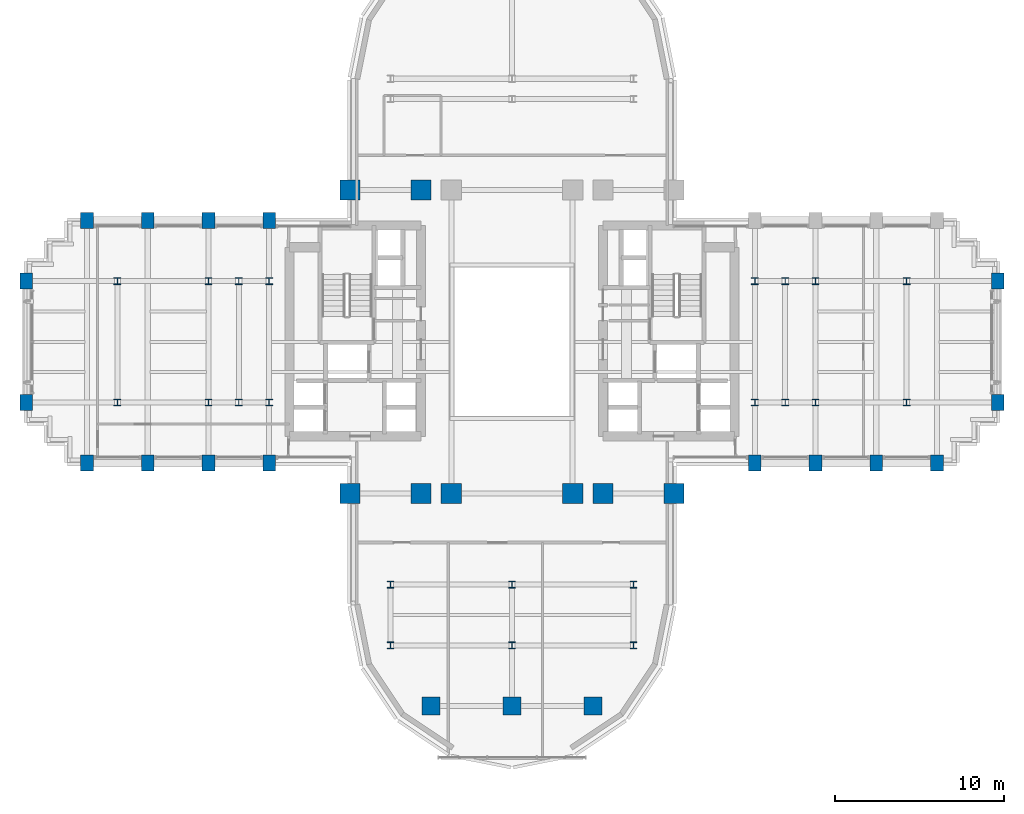
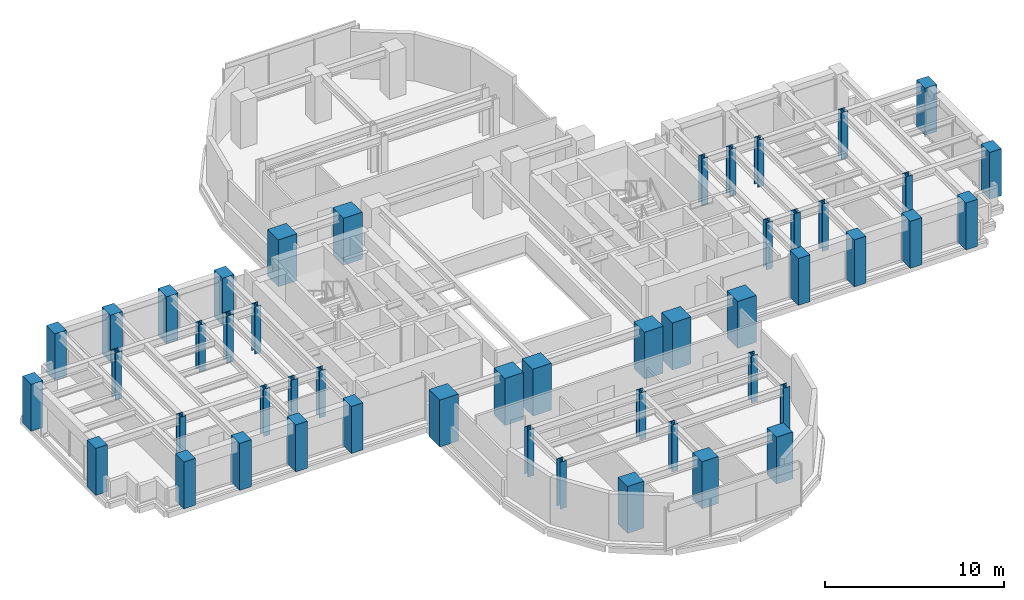
# One storey, part 1 of 16: 49 columns.
"""IFC4 building model written with IfcOpenShell, lengths in metres."""

from ifc_helpers import new_model, si_unit, direction, frame, origin, origin_2d, place, context, subcontext, project, spatial, rectangle, i_section, extrude, source, transform, mapped, material, material_profile, profile_set, type_object, element, save


model = new_model("IFC4")

# Units and contexts
model_context = context("Model", 3, precision=1e-05, world=origin(), true_north=direction((0.0, 1.0)))
body_context = subcontext(model_context, "Body", "Model", "MODEL_VIEW")
ifc_project = project(units=[si_unit("LENGTHUNIT", "METRE"), si_unit("AREAUNIT", "SQUARE_METRE"), si_unit("VOLUMEUNIT", "CUBIC_METRE"), si_unit("PLANEANGLEUNIT", "RADIAN"), si_unit("MASSUNIT", "GRAM", prefix="KILO")], contexts=[model_context])

# Site, building, storey
site_placement = place(None, origin())
site = spatial("IfcSite", under=ifc_project, at=site_placement, CompositionType="ELEMENT")
building_placement = place(site_placement, origin())
building = spatial("IfcBuilding", under=site, at=building_placement, Name="Keilestroom Media Tower", CompositionType="ELEMENT")
storey_placement = place(building_placement, frame((0.0, 0.0, 57.800048828125)))
storey = spatial("IfcBuildingStorey", under=building, at=storey_placement, Name="L14", CompositionType="ELEMENT", Elevation=57.800048828125)

# Columns
ifc_material_1 = material(Name="Precast concrete C40/50", Category="concrete")
ifc_material_profile_1 = material_profile(ifc_material_1, rectangle(XDim=0.75, YDim=0.949951171875, at=origin_2d()), Name="PC 950x750")
ifc_profile_set_1 = profile_set([ifc_material_profile_1], Name="Precast concrete C40/50")
column_type_1 = type_object("IfcColumnType", Name="Structural-Column-PC-950x750", PredefinedType="COLUMN", material=ifc_profile_set_1)
shared_shape_1 = source(origin(), body_context, "Body", "SweptSolid", [
    extrude(rectangle(XDim=0.75, YDim=0.949951171875, at=origin_2d()), origin(), (0.0, 0.0, 1.0), 3.199951171875),
])
for number, where, z_axis, x_axis, name in (
    (1, (-28.800048828125, -3.60009765625, 0.0), (0.0, 0.0, 1.0), (1.0, 0.0, 0.0), "L14 Column PC-1 (-28.8,-3.6)"),
    (2, (-28.800048828125, 3.60009765625, 0.0), (0.0, 0.0, 1.0), (1.0, 0.0, 0.0), "L14 Column PC-1 (-28.8,+3.6)"),
    (3, (-25.199951171875, -7.199951171875, 0.0), (0.0, 0.0, 1.0), (1.0, 0.0, 0.0), "L14 Column PC-1 (-25.2,-7.2)"),
    (4, (-25.199951171875, 7.199951171875, 0.0), (0.0, 0.0, 1.0), (1.0, 0.0, 0.0), "L14 Column PC-1 (-25.2,+7.2)"),
    (5, (-21.60009765625, -7.199951171875, 0.0), (0.0, 0.0, 1.0), (1.0, 0.0, 0.0), "L14 Column PC-1 (-21.6,-7.2)"),
    (6, (-21.60009765625, 7.199951171875, 0.0), (0.0, 0.0, 1.0), (1.0, 0.0, 0.0), "L14 Column PC-1 (-21.6,+7.2)"),
    (7, (-18.0, -7.199951171875, 0.0), (0.0, 0.0, 1.0), (1.0, 0.0, 0.0), "L14 Column PC-1 (-18.0,-7.2)"),
    (8, (-18.0, 7.199951171875, 0.0), (0.0, 0.0, 1.0), (1.0, 0.0, 0.0), "L14 Column PC-1 (-18.0,+7.2)"),
    (9, (-14.39990234375, -7.199951171875, 0.0), (0.0, 0.0, 1.0), (1.0, 0.0, 0.0), "L14 Column PC-1 (-14.4,-7.2)"),
    (10, (-14.39990234375, 7.199951171875, 0.0), (0.0, 0.0, 1.0), (1.0, 0.0, 0.0), "L14 Column PC-1 (-14.4,+7.2)"),
    (11, (14.39990234375, -7.199951171875, 0.0), (0.0, 0.0, 1.0), (1.0, 0.0, 0.0), "L14 Column PC-1 (+14.4,-7.2)"),
    (12, (18.0, -7.199951171875, 0.0), (0.0, 0.0, 1.0), (1.0, 0.0, 0.0), "L14 Column PC-1 (+18.0,-7.2)"),
    (13, (21.60009765625, -7.199951171875, 0.0), (0.0, 0.0, 1.0), (1.0, 0.0, 0.0), "L14 Column PC-1 (+21.6,-7.2)"),
    (14, (25.199951171875, -7.199951171875, 0.0), (0.0, 0.0, 1.0), (1.0, 0.0, 0.0), "L14 Column PC-1 (+25.2,-7.2)"),
    (15, (28.800048828125, -3.60009765625, 0.0), (0.0, 0.0, 1.0), (1.0, 0.0, 0.0), "L14 Column PC-1 (+28.8,-3.6)"),
    (16, (28.800048828125, 3.60009765625, 0.0), (0.0, 0.0, 1.0), (1.0, 0.0, 0.0), "L14 Column PC-1 (+28.8,+3.6)"),
):
    element("IfcColumn", number, at=place(storey_placement, frame(where, z_axis=z_axis, x_axis=x_axis)), inside=storey, type_object=column_type_1, Name=name, PredefinedType="COLUMN", context=body_context, shape_type="MappedRepresentation", body=[
        mapped(shared_shape_1, transform((0.0, 0.0, 0.0), x_axis=(1.0, 0.0, 0.0), y_axis=(0.0, 1.0, 0.0), z_axis=(0.0, 0.0, 1.0), scale=1.0)),
    ])
ifc_material_2 = material(Name="Steel S460", Category="steel")
ifc_material_profile_2 = material_profile(ifc_material_2, i_section(OverallWidth=0.404052734375, OverallDepth=0.406982421875, WebThickness=0.02197265625, FlangeThickness=0.035400390625, at=origin_2d()), Name="HD 400x347")
ifc_profile_set_2 = profile_set([ifc_material_profile_2], Name="Steel S460")
column_type_2 = type_object("IfcColumnType", Name="Structural-Column-HD-400x347", PredefinedType="COLUMN", material=ifc_profile_set_2)
shared_shape_2 = source(origin(), body_context, "Body", "SweptSolid", [
    extrude(i_section(OverallWidth=0.404052734375, OverallDepth=0.406982421875, WebThickness=0.02197265625, FlangeThickness=0.035400390625, at=origin_2d()), origin(), (0.0, 0.0, 1.0), 3.199951171875),
])
for number, where, z_axis, x_axis, name in (
    (17, (-23.39990234375, -3.60009765625, 0.0), (0.0, 0.0, 1.0), (1.0, 0.0, 0.0), "L14 Column SC-2 (-23.4,-3.6)"),
    (18, (-23.39990234375, 3.60009765625, 0.0), (0.0, 0.0, 1.0), (1.0, 0.0, 0.0), "L14 Column SC-2 (-23.4,+3.6)"),
    (19, (-18.0, -3.60009765625, 0.0), (0.0, 0.0, 1.0), (1.0, 0.0, 0.0), "L14 Column SC-2 (-18.0,-3.6)"),
    (20, (-18.0, 3.60009765625, 0.0), (0.0, 0.0, 1.0), (1.0, 0.0, 0.0), "L14 Column SC-2 (-18.0,+3.6)"),
    (21, (-16.199951171875, -3.60009765625, 0.0), (0.0, 0.0, 1.0), (1.0, 0.0, 0.0), "L14 Column SC-2 (-16.2,-3.6)"),
    (22, (-16.199951171875, 3.60009765625, 0.0), (0.0, 0.0, 1.0), (1.0, 0.0, 0.0), "L14 Column SC-2 (-16.2,+3.6)"),
    (23, (-14.39990234375, -3.60009765625, 0.0), (0.0, 0.0, 1.0), (1.0, 0.0, 0.0), "L14 Column SC-2 (-14.4,-3.6)"),
    (24, (-14.39990234375, 3.60009765625, 0.0), (0.0, 0.0, 1.0), (1.0, 0.0, 0.0), "L14 Column SC-2 (-14.4,+3.6)"),
    (25, (-7.199951171875, -18.0, 0.0), (0.0, 0.0, 1.0), (1.0, 0.0, 0.0), "L14 Column SC-2 (-7.2,-18.0)"),
    (26, (-7.199951171875, -14.39990234375, 0.0), (0.0, 0.0, 1.0), (1.0, 0.0, 0.0), "L14 Column SC-2 (-7.2,-14.4)"),
    (27, (0.0, -18.0, 0.0), (0.0, 0.0, 1.0), (1.0, 0.0, 0.0), "L14 Column SC-2 (+0.0,-18.0)"),
    (28, (0.0, -14.39990234375, 0.0), (0.0, 0.0, 1.0), (1.0, 0.0, 0.0), "L14 Column SC-2 (+0.0,-14.4)"),
    (29, (7.199951171875, -18.0, 0.0), (0.0, 0.0, 1.0), (1.0, 0.0, 0.0), "L14 Column SC-2 (+7.2,-18.0)"),
    (30, (7.199951171875, -14.39990234375, 0.0), (0.0, 0.0, 1.0), (1.0, 0.0, 0.0), "L14 Column SC-2 (+7.2,-14.4)"),
    (31, (14.39990234375, -3.60009765625, 0.0), (0.0, 0.0, 1.0), (1.0, 0.0, 0.0), "L14 Column SC-2 (+14.4,-3.6)"),
    (32, (14.39990234375, 3.60009765625, 0.0), (0.0, 0.0, 1.0), (1.0, 0.0, 0.0), "L14 Column SC-2 (+14.4,+3.6)"),
    (33, (16.199951171875, -3.60009765625, 0.0), (0.0, 0.0, 1.0), (1.0, 0.0, 0.0), "L14 Column SC-2 (+16.2,-3.6)"),
    (34, (16.199951171875, 3.60009765625, 0.0), (0.0, 0.0, 1.0), (1.0, 0.0, 0.0), "L14 Column SC-2 (+16.2,+3.6)"),
    (35, (18.0, -3.60009765625, 0.0), (0.0, 0.0, 1.0), (1.0, 0.0, 0.0), "L14 Column SC-2 (+18.0,-3.6)"),
    (36, (18.0, 3.60009765625, 0.0), (0.0, 0.0, 1.0), (1.0, 0.0, 0.0), "L14 Column SC-2 (+18.0,+3.6)"),
    (37, (23.39990234375, -3.60009765625, 0.0), (0.0, 0.0, 1.0), (1.0, 0.0, 0.0), "L14 Column SC-2 (+23.4,-3.6)"),
    (38, (23.39990234375, 3.60009765625, 0.0), (0.0, 0.0, 1.0), (1.0, 0.0, 0.0), "L14 Column SC-2 (+23.4,+3.6)"),
):
    element("IfcColumn", number, at=place(storey_placement, frame(where, z_axis=z_axis, x_axis=x_axis)), inside=storey, type_object=column_type_2, Name=name, PredefinedType="COLUMN", context=body_context, shape_type="MappedRepresentation", body=[
        mapped(shared_shape_2, transform((0.0, 0.0, 0.0), x_axis=(1.0, 0.0, 0.0), y_axis=(0.0, 1.0, 0.0), z_axis=(0.0, 0.0, 1.0), scale=1.0)),
    ])
ifc_material_3 = material(Name="Concrete C70/85", Category="concrete")
ifc_material_profile_3 = material_profile(ifc_material_3, rectangle(XDim=1.199951171875, YDim=1.199951171875, at=origin_2d()), Name="RC 1200x1200")
ifc_profile_set_3 = profile_set([ifc_material_profile_3], Name="Concrete C70/85")
column_type_3 = type_object("IfcColumnType", Name="Structural-Column-RC-1200x1200", PredefinedType="COLUMN", material=ifc_profile_set_3)
shared_shape_3 = source(origin(), body_context, "Body", "SweptSolid", [
    extrude(rectangle(XDim=1.199951171875, YDim=1.199951171875, at=origin_2d()), origin(), (0.0, 0.0, 1.0), 3.199951171875),
])
for number, where, z_axis, x_axis, name in (
    (39, (-9.60009765625, -9.0, 0.0), (0.0, 0.0, 1.0), (1.0, 0.0, 0.0), "L14 Column MC-2 (-9.6,-9.0)"),
    (40, (-9.60009765625, 9.0, 0.0), (0.0, 0.0, 1.0), (1.0, 0.0, 0.0), "L14 Column MC-2 (-9.6,+9.0)"),
    (41, (-5.39990234375, -9.0, 0.0), (0.0, 0.0, 1.0), (1.0, 0.0, 0.0), "L14 Column MC-2 (-5.4,-9.0)"),
    (42, (-5.39990234375, 9.0, 0.0), (0.0, 0.0, 1.0), (1.0, 0.0, 0.0), "L14 Column MC-2 (-5.4,+9.0)"),
    (43, (-3.60009765625, -9.0, 0.0), (0.0, 0.0, 1.0), (1.0, 0.0, 0.0), "L14 Column MC-2 (-3.6,-9.0)"),
    (44, (3.60009765625, -9.0, 0.0), (0.0, 0.0, 1.0), (1.0, 0.0, 0.0), "L14 Column MC-2 (+3.6,-9.0)"),
    (45, (5.39990234375, -9.0, 0.0), (0.0, 0.0, 1.0), (1.0, 0.0, 0.0), "L14 Column MC-2 (+5.4,-9.0)"),
    (46, (9.60009765625, -9.0, 0.0), (0.0, 0.0, 1.0), (1.0, 0.0, 0.0), "L14 Column MC-2 (+9.6,-9.0)"),
):
    element("IfcColumn", number, at=place(storey_placement, frame(where, z_axis=z_axis, x_axis=x_axis)), inside=storey, type_object=column_type_3, Name=name, PredefinedType="COLUMN", context=body_context, shape_type="MappedRepresentation", body=[
        mapped(shared_shape_3, transform((0.0, 0.0, 0.0), x_axis=(1.0, 0.0, 0.0), y_axis=(0.0, 1.0, 0.0), z_axis=(0.0, 0.0, 1.0), scale=1.0)),
    ])
ifc_material_4 = material(Name="Concrete C55/67", Category="concrete")
ifc_material_profile_4 = material_profile(ifc_material_4, rectangle(XDim=1.050048828125, YDim=1.050048828125, at=origin_2d()), Name="RC 1050x1050")
ifc_profile_set_4 = profile_set([ifc_material_profile_4], Name="Concrete C55/67")
column_type_4 = type_object("IfcColumnType", Name="Structural-Column-RC-1050x1050", PredefinedType="COLUMN", material=ifc_profile_set_4)
shared_shape_4 = source(origin(), body_context, "Body", "SweptSolid", [
    extrude(rectangle(XDim=1.050048828125, YDim=1.050048828125, at=origin_2d()), origin(), (0.0, 0.0, 1.0), 3.199951171875),
])
for number, where, z_axis, x_axis, name in (
    (47, (-4.800048828125, -21.60009765625, 0.0), (0.0, 0.0, 1.0), (1.0, 0.0, 0.0), "L14 Column MC-3 (-4.8,-21.6)"),
    (48, (0.0, -21.60009765625, 0.0), (0.0, 0.0, 1.0), (1.0, 0.0, 0.0), "L14 Column MC-3 (+0.0,-21.6)"),
    (49, (4.800048828125, -21.60009765625, 0.0), (0.0, 0.0, 1.0), (1.0, 0.0, 0.0), "L14 Column MC-3 (+4.8,-21.6)"),
):
    element("IfcColumn", number, at=place(storey_placement, frame(where, z_axis=z_axis, x_axis=x_axis)), inside=storey, type_object=column_type_4, Name=name, PredefinedType="COLUMN", context=body_context, shape_type="MappedRepresentation", body=[
        mapped(shared_shape_4, transform((0.0, 0.0, 0.0), x_axis=(1.0, 0.0, 0.0), y_axis=(0.0, 1.0, 0.0), z_axis=(0.0, 0.0, 1.0), scale=1.0)),
    ])

save(model, "model.ifc")
